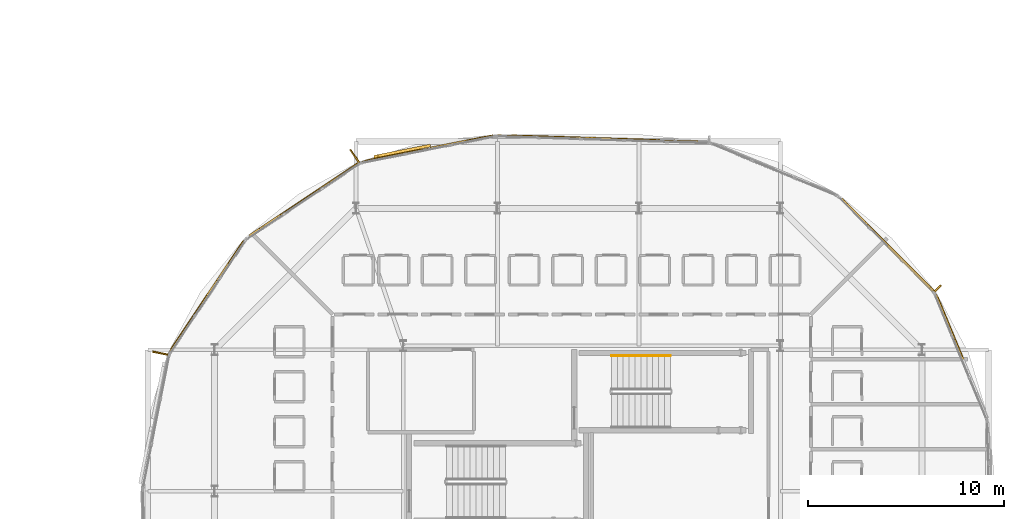
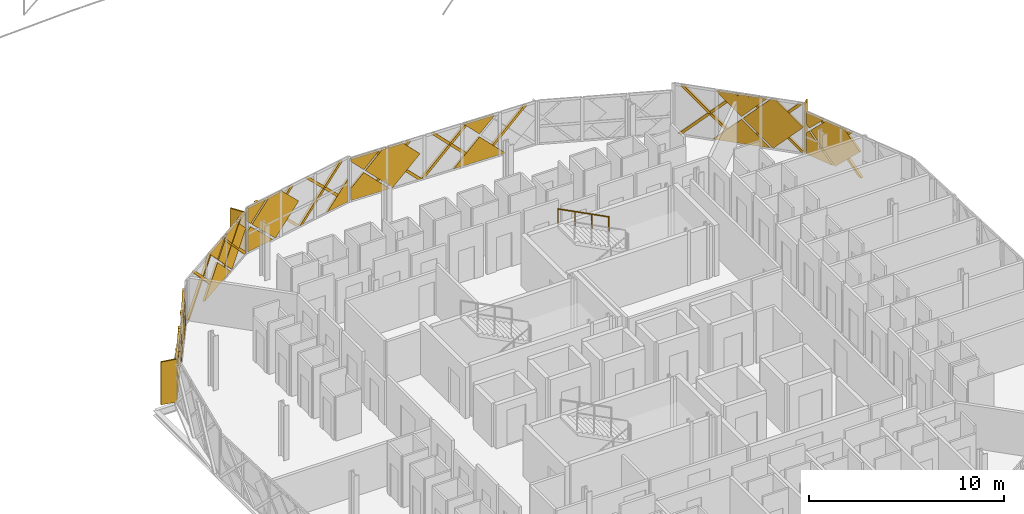
# One storey, part 49 of 50: 45 coverings, 3 shading devices, 1 railing.
"""IFC4 building model written with IfcOpenShell, lengths in metres."""

from ifc_helpers import new_model, si_unit, direction, frame, origin, origin_2d, place, context, subcontext, project, spatial, polyline, rectangle, circle, outline, extrude, material, layer, layer_set, type_object, element, save


model = new_model("IFC4")

# Units and contexts
model_context = context("Model", 3, precision=1e-05, world=origin(), true_north=direction((0.0, 1.0)))
body_context = subcontext(model_context, "Body", "Model", "MODEL_VIEW")
ifc_project = project(units=[si_unit("LENGTHUNIT", "METRE"), si_unit("AREAUNIT", "SQUARE_METRE"), si_unit("VOLUMEUNIT", "CUBIC_METRE"), si_unit("PLANEANGLEUNIT", "RADIAN"), si_unit("MASSUNIT", "GRAM", prefix="KILO")], contexts=[model_context])

# Site, building, storey
site_placement = place(None, origin())
site = spatial("IfcSite", under=ifc_project, at=site_placement, CompositionType="ELEMENT")
building_placement = place(site_placement, origin())
building = spatial("IfcBuilding", under=site, at=building_placement, Name="Zevrakil Square Congress Hotel", CompositionType="ELEMENT")
storey_placement = place(building_placement, frame((0.0, 0.0, 21.5)))
storey = spatial("IfcBuildingStorey", under=building, at=storey_placement, Name="L06", CompositionType="ELEMENT", Elevation=21.5)

# Coverings
ifc_material_1 = material(Name="Architectural White Fibre-C GRC", Category="concrete")
ifc_layer_1 = layer(ifc_material_1, 0.06494140625)
ifc_layer_set_1 = layer_set([ifc_layer_1], Name="Architectural White Fibre-C GRC")
covering_type_1 = type_object("IfcCoveringType", Name="COV-DIA-WHITE", PredefinedType="CLADDING", material=ifc_layer_set_1)
covering_1_placement = place(storey_placement, frame((164.0302734375, 41.05224609375, 1.590087890625), z_axis=(0.92386810369, 0.382710638562, 0.000542324282), x_axis=(-0.270236009364, 0.653355103566, -0.707177211092)))
element("IfcCovering", 1, at=covering_1_placement, inside=storey, type_object=covering_type_1, Name="L06 45-degree white GRC diamond facade cassette 2521", PredefinedType="CLADDING", context=body_context, shape_type="SweptSolid", body=[
    extrude(outline(polyline([(0.0, 0.0), (0.26272196635071365, 2.7755575615628914e-17), (1.1991408726097759, -0.9363095231817212), (0.00019873089311528425, -2.135490849810203), (0.0, 0.0)])), origin(), (0.0, 0.0, -1.0), 0.1201171875),
])
covering_2_placement = place(storey_placement, frame((164.064697265625, 40.968994140625, 1.679931640625), z_axis=(0.923883983177, 0.38267219732, 0.000612395438), x_axis=(0.270996693439, -0.653134687585, -0.707089719921)))
element("IfcCovering", 2, at=covering_2_placement, inside=storey, type_object=covering_type_1, Name="L06 45-degree white GRC diamond facade cassette 2522", PredefinedType="CLADDING", context=body_context, shape_type="SweptSolid", body=[
    extrude(outline(polyline([(0.0, 0.0), (2.248432897650142, 2.220446049250313e-16), (2.2484905312033807, -2.248382885916648), (0.8768900445308169, -2.248561148141243), (-5.7870723416453274e-05, -1.3716552526652066), (0.0, 0.0)])), origin(), (0.0, 0.0, -1.0), 0.1201171875),
])
covering_3_placement = place(storey_placement, frame((164.0302734375, 41.05224609375, 1.77001953125), z_axis=(0.923836212557, 0.382787158594, 0.000802236726), x_axis=(0.27016233, -0.653504104735, 0.707067677484)))
element("IfcCovering", 3, at=covering_3_placement, inside=storey, type_object=covering_type_1, Name="L06 45-degree white GRC diamond facade cassette 2523", PredefinedType="CLADDING", context=body_context, shape_type="SweptSolid", body=[
    extrude(outline(polyline([(0.0, 0.0), (1.24441103782637, 0.0), (0.49074323806364883, -0.7535849205414161), (-5.426841395600457e-05, -0.26278809088890714), (0.0, 0.0)])), origin(), (0.0, 0.0, -1.0), 0.1201171875),
])
covering_4_placement = place(storey_placement, frame((161.524658203125, 43.72265625, 1.590087890625), z_axis=(0.707106665659, 0.707106665659, 0.000571630288), x_axis=(-0.499716692516, 0.500288319938, -0.707103121302)))
element("IfcCovering", 4, at=covering_4_placement, inside=storey, type_object=covering_type_1, Name="L06 45-degree white GRC diamond facade cassette 2528", PredefinedType="CLADDING", context=body_context, shape_type="SweptSolid", body=[
    extrude(outline(polyline([(0.0, 0.0), (2.1354873428434074, 0.0), (-2.1408116838594893e-05, -2.1354873427360994), (0.0, 0.0)])), origin(), (0.0, 0.0, -1.0), 0.1201171875),
])
covering_5_placement = place(storey_placement, frame((161.588134765625, 43.658935546875, 1.679931640625), z_axis=(0.707087494365, 0.707125819549, 0.000592148082), x_axis=(0.50032696926, -0.499707740799, -0.707082101044)))
element("IfcCovering", 5, at=covering_5_placement, inside=storey, type_object=covering_type_1, Name="L06 45-degree white GRC diamond facade cassette 2529", PredefinedType="CLADDING", context=body_context, shape_type="SweptSolid", body=[
    extrude(outline(polyline([(0.0, 0.0), (2.2484571141369587, 0.0), (2.2487327554107233, -2.2344210521339223), (2.234455153053577, -2.2484554904441794), (0.21922499908295112, -2.248618887449293), (-2.0891940692324695e-05, -2.0293882163980976), (0.0, 0.0)])), origin(), (0.0, 0.0, -1.0), 0.1201171875),
])
covering_6_placement = place(storey_placement, frame((161.5244140625, 43.72265625, 1.77001953125), z_axis=(0.70710668799, 0.70710668799, 0.000513419269), x_axis=(0.499778488634, -0.500291871776, 0.707056932173)))
element("IfcCovering", 6, at=covering_6_placement, inside=storey, type_object=covering_type_1, Name="L06 45-degree white GRC diamond facade cassette 2530", PredefinedType="CLADDING", context=body_context, shape_type="SweptSolid", body=[
    extrude(outline(polyline([(0.0, 0.0), (1.9022099097322953, -1.1102230246251565e-16), (-2.353214963146666e-05, -1.9019657674509012), (0.0, 0.0)])), origin(), (0.0, 0.0, -1.0), 0.1201171875),
])
covering_7_placement = place(storey_placement, frame((149.052490234375, 49.115234375, 1.590087890625), z_axis=(0.031608263347, 0.999500173978, 0.000565602362), x_axis=(-0.706752256088, 0.022750517464, -0.707095228713)))
element("IfcCovering", 7, at=covering_7_placement, inside=storey, type_object=covering_type_1, Name="L06 45-degree white GRC diamond facade cassette 2543", PredefinedType="CLADDING", context=body_context, shape_type="SweptSolid", body=[
    extrude(outline(polyline([(0.0, 0.0), (2.1355111791273007, -2.220446049250313e-16), (-3.089768033581741e-05, -2.1354729821073026), (0.0, 0.0)])), origin(), (0.0, 0.0, -1.0), 0.1201171875),
])
covering_8_placement = place(storey_placement, frame((142.335693359375, 49.327392578125, 1.590087890625), z_axis=(0.031623638419, 0.999499596415, 0.000708702399), x_axis=(-0.706688972274, 0.02286067849, -0.70715492351)))
element("IfcCovering", 8, at=covering_8_placement, inside=storey, type_object=covering_type_1, Name="L06 45-degree white GRC diamond facade cassette 2544", PredefinedType="CLADDING", context=body_context, shape_type="SweptSolid", body=[
    extrude(outline(polyline([(0.0, 0.0), (1.0440163353027656, -2.220446049250313e-16), (1.5897591171810976, -0.545646362406218), (-1.7359191907484472e-05, -2.1356401937942104), (0.0, 0.0)])), origin(), (0.0, 0.0, -1.0), 0.1201171875),
])
covering_9_placement = place(storey_placement, frame((142.42578125, 49.32470703125, 1.679931640625), z_axis=(0.031639447707, 0.999499154223, 0.00062133464), x_axis=(0.706773784466, -0.021933572103, -0.707099523409)))
element("IfcCovering", 9, at=covering_9_placement, inside=storey, type_object=covering_type_1, Name="L06 45-degree white GRC diamond facade cassette 2546", PredefinedType="CLADDING", context=body_context, shape_type="SweptSolid", body=[
    extrude(outline(polyline([(0.0, 0.0), (2.248401670190142, 0.0), (2.2486632157410225, -2.248617897947527), (0.8767614316162954, -2.2484759767868803), (2.436250977333465e-05, -1.3717564985702386), (0.0, 0.0)])), origin(), (0.0, 0.0, -1.0), 0.1201171875),
])
covering_10_placement = place(storey_placement, frame((149.052490234375, 49.114990234375, 1.77001953125), z_axis=(0.031628853851, 0.999499526297, 0.000559049245), x_axis=(0.706727384305, -0.02275968256, 0.707119792625)))
element("IfcCovering", 10, at=covering_10_placement, inside=storey, type_object=covering_type_1, Name="L06 45-degree white GRC diamond facade cassette 2547", PredefinedType="CLADDING", context=body_context, shape_type="SweptSolid", body=[
    extrude(outline(polyline([(0.0, 0.0), (1.2443193100749563, 0.0), (-0.000104520868435376, -1.244470018333256), (0.0, 0.0)])), origin(), (0.0, 0.0, -1.0), 0.1201171875),
])
covering_11_placement = place(storey_placement, frame((142.335693359375, 49.327392578125, 1.77001953125), z_axis=(0.031619110019, 0.999499730687, 0.000721275118), x_axis=(0.706821970898, -0.0228704802, 0.707021670524)))
element("IfcCovering", 11, at=covering_11_placement, inside=storey, type_object=covering_type_1, Name="L06 45-degree white GRC diamond facade cassette 2548", PredefinedType="CLADDING", context=body_context, shape_type="SweptSolid", body=[
    extrude(outline(polyline([(0.0, 0.0), (1.244491854838642, -1.1102230246251565e-16), (0.10008865963309976, -1.1441284933325278), (-3.2297247844925714e-05, -1.043994403387933), (0.0, 0.0)])), origin(), (0.0, 0.0, -1.0), 0.1201171875),
])
covering_12_placement = place(storey_placement, frame((139.99560546875, 49.05859375, 0.080078125), z_axis=(-0.194983743043, 0.980806323798, 0.000543273197), x_axis=(0.980806468539, 0.194983771818, 0.0)))
element("IfcCovering", 12, at=covering_12_placement, inside=storey, type_object=covering_type_1, Name="L06 45-degree white GRC diamond facade cassette 2555", PredefinedType="CLADDING", context=body_context, shape_type="SweptSolid", body=[
    extrude(outline(polyline([(0.0, 0.0), (1.409872940642345, 2.710505431213761e-20), (1.409969584966829, -1.4099123174398416), (0.0, 0.0)])), origin(), (0.0, 0.0, -1.0), 0.1201171875),
])
covering_13_placement = place(storey_placement, frame((134.8857421875, 48.041259765625, 1.590087890625), z_axis=(-0.195095002409, 0.980784201879, 0.000537940586), x_axis=(-0.693383377426, -0.137538038276, -0.707320846531)))
element("IfcCovering", 13, at=covering_13_placement, inside=storey, type_object=covering_type_1, Name="L06 45-degree white GRC diamond facade cassette 2556", PredefinedType="CLADDING", context=body_context, shape_type="SweptSolid", body=[
    extrude(outline(polyline([(0.0, 0.0), (0.2626686507407934, -2.7755575615628914e-17), (1.1992154421148744, -0.9361815752429213), (0.0005602641638955408, -2.135563173304746), (0.0, 0.0)])), origin(), (0.0, 0.0, -1.0), 0.1201171875),
])
covering_14_placement = place(storey_placement, frame((134.97412109375, 48.058837890625, 1.679931640625), z_axis=(-0.195080809907, 0.980786979448, 0.00061526472), x_axis=(0.693427797187, 0.138367986413, -0.707115401066)))
element("IfcCovering", 14, at=covering_14_placement, inside=storey, type_object=covering_type_1, Name="L06 45-degree white GRC diamond facade cassette 2557", PredefinedType="CLADDING", context=body_context, shape_type="SweptSolid", body=[
    extrude(outline(polyline([(0.0, 0.0), (2.2483511277506354, 2.220446049250313e-16), (2.2485676666351315, -2.248623335779687), (0.6645267556407678, -2.2486480873280383), (-9.67111496924522e-05, -1.5840081531532735), (0.0, 0.0)])), origin(), (0.0, 0.0, -1.0), 0.1201171875),
])
covering_15_placement = place(storey_placement, frame((134.8857421875, 48.041259765625, 1.77001953125), z_axis=(-0.195058579087, 0.980791372452, 0.000659126765), x_axis=(0.693571129311, 0.137461340077, 0.707151658819)))
element("IfcCovering", 15, at=covering_15_placement, inside=storey, type_object=covering_type_1, Name="L06 45-degree white GRC diamond facade cassette 2558", PredefinedType="CLADDING", context=body_context, shape_type="SweptSolid", body=[
    extrude(outline(polyline([(0.0, 0.0), (1.4565889844993962, 0.0), (0.5971693590993628, -0.859529070157402), (6.26489805573005e-05, -0.26270233702114776), (0.0, 0.0)])), origin(), (0.0, 0.0, -1.0), 0.1201171875),
])
covering_16_placement = place(storey_placement, frame((131.77783203125, 46.104736328125, 1.590087890625), z_axis=(-0.555558008014, 0.831477606581, 0.000538038776), x_axis=(-0.588124084875, -0.39250194078, -0.707143752906)))
element("IfcCovering", 16, at=covering_16_placement, inside=storey, type_object=covering_type_1, Name="L06 45-degree white GRC diamond facade cassette 2563", PredefinedType="CLADDING", context=body_context, shape_type="SweptSolid", body=[
    extrude(outline(polyline([(0.0, 0.0), (2.1353646403852276, 4.440892098500626e-16), (7.910572278801986e-05, -2.1355094611236565), (0.0, 0.0)])), origin(), (0.0, 0.0, -1.0), 0.1201171875),
])
covering_17_placement = place(storey_placement, frame((131.852783203125, 46.15478515625, 1.679931640625), z_axis=(-0.555590875629, 0.831455605336, 0.000596047132), x_axis=(0.58771479474, 0.393226564602, -0.707081458486)))
element("IfcCovering", 17, at=covering_17_placement, inside=storey, type_object=covering_type_1, Name="L06 45-degree white GRC diamond facade cassette 2564", PredefinedType="CLADDING", context=body_context, shape_type="SweptSolid", body=[
    extrude(outline(polyline([(0.0, 0.0), (2.2484589921908835, 2.220446049250313e-16), (2.248705005091731, -2.23438932110518), (2.234549565737279, -2.248545769309642), (0.8769121778557384, -2.2485468558117434), (5.550219748906571e-05, -1.3717526908822337), (0.0, 0.0)])), origin(), (0.0, 0.0, -1.0), 0.1201171875),
])
covering_18_placement = place(storey_placement, frame((131.778076171875, 46.104736328125, 1.77001953125), z_axis=(-0.555564066248, 0.831473411508, 0.000730923306), x_axis=(0.588218441295, 0.392407232352, 0.707117832697)))
element("IfcCovering", 18, at=covering_18_placement, inside=storey, type_object=covering_type_1, Name="L06 45-degree white GRC diamond facade cassette 2565", PredefinedType="CLADDING", context=body_context, shape_type="SweptSolid", body=[
    extrude(outline(polyline([(0.0, 0.0), (1.2443227589714265, -1.1102230246251565e-16), (-0.00015290086494945676, -1.2445152259597503), (0.0, 0.0)])), origin(), (0.0, 0.0, -1.0), 0.1201171875),
])
covering_19_placement = place(storey_placement, frame((127.881103515625, 42.79833984375, 0.080078125), z_axis=(-0.831516946663, 0.555499034756, 0.000624337474), x_axis=(0.555499143022, 0.831517108725, 0.0)))
element("IfcCovering", 19, at=covering_19_placement, inside=storey, type_object=covering_type_1, Name="L06 45-degree white GRC diamond facade cassette 2570", PredefinedType="CLADDING", context=body_context, shape_type="SweptSolid", body=[
    extrude(outline(polyline([(0.0, 0.0), (1.4099087907496117, 1.0842021724855044e-19), (1.40990963626026, -1.4099123841650334), (0.0, 0.0)])), origin(), (0.0, 0.0, -1.0), 0.1201171875),
])
covering_20_placement = place(storey_placement, frame((124.9873046875, 38.4658203125, 1.590087890625), z_axis=(-0.831447673134, 0.555602657413, 0.00067373235), x_axis=(-0.393136263947, -0.5874624046, -0.70734136112)))
element("IfcCovering", 20, at=covering_20_placement, inside=storey, type_object=covering_type_1, Name="L06 45-degree white GRC diamond facade cassette 2571", PredefinedType="CLADDING", context=body_context, shape_type="SweptSolid", body=[
    extrude(outline(polyline([(0.0, 0.0), (0.2626610486253064, 0.0), (1.199336836393759, -0.936052638038315), (0.000677600765038644, -2.1355081269601914), (0.0, 0.0)])), origin(), (0.0, 0.0, -1.0), 0.1201171875),
])
covering_21_placement = place(storey_placement, frame((125.037353515625, 38.540771484375, 1.679931640625), z_axis=(-0.831477747837, 0.555557746048, 0.000587926961), x_axis=(0.392506824416, 0.588195205997, -0.707081885237)))
element("IfcCovering", 21, at=covering_21_placement, inside=storey, type_object=covering_type_1, Name="L06 45-degree white GRC diamond facade cassette 2572", PredefinedType="CLADDING", context=body_context, shape_type="SweptSolid", body=[
    extrude(outline(polyline([(0.0, 0.0), (2.2484577240739663, -2.220446049250313e-16), (2.248616567972692, -2.2484589902065952), (0.8768638741981988, -2.2485003913182346), (7.767404955894008e-06, -1.37170566035423), (0.0, 0.0)])), origin(), (0.0, 0.0, -1.0), 0.1201171875),
])
covering_22_placement = place(storey_placement, frame((124.9873046875, 38.4658203125, 1.77001953125), z_axis=(-0.831459337273, 0.555585276043, 0.000609512769), x_axis=(0.393271006517, 0.587772811506, 0.707008513024)))
element("IfcCovering", 22, at=covering_22_placement, inside=storey, type_object=covering_type_1, Name="L06 45-degree white GRC diamond facade cassette 2573", PredefinedType="CLADDING", context=body_context, shape_type="SweptSolid", body=[
    extrude(outline(polyline([(0.0, 0.0), (1.2445152324889124, -1.1102230246251565e-16), (0.4906844786864245, -0.7536214816133586), (3.155268061105776e-06, -0.26270868546778176), (0.0, 0.0)])), origin(), (0.0, 0.0, -1.0), 0.1201171875),
])
ifc_material_2 = material(Name="Anodised Champagne Aluminium", Category="aluminium")
ifc_layer_2 = layer(ifc_material_2, 0.0849609375)
ifc_layer_set_2 = layer_set([ifc_layer_2], Name="Anodised Champagne Aluminium")
covering_type_2 = type_object("IfcCoveringType", Name="COV-DIAGRID-45", PredefinedType="MOLDING", material=ifc_layer_set_2)
covering_23_placement = place(storey_placement, frame((165.268798828125, 38.1298828125, 0.080078125), z_axis=(0.9239254376, 0.382571865507, 0.000743960638), x_axis=(0.382571971651, -0.923925693174, -3.95351e-07)))
element("IfcCovering", 23, at=covering_23_placement, inside=storey, type_object=covering_type_2, Name="L06 45-degree aluminium diagrid rib 2525", PredefinedType="MOLDING", context=body_context, shape_type="SweptSolid", body=[
    extrude(outline(polyline([(0.0, 0.0), (0.2122335933052836, -1.3552527156068805e-20), (-2.3578375936591107, -2.569823997746705), (-2.569977785604128, -2.56982382997007), (0.0, 0.0)])), origin(), (0.0, 0.0, -1.0), 0.14501953125),
])
covering_24_placement = place(storey_placement, frame((165.107421875, 38.515380859375, 2.64990234375), z_axis=(0.923756621182, 0.382978898433, 0.000931760901), x_axis=(-0.382979064253, 0.923757022352, -4.95805e-07)))
element("IfcCovering", 24, at=covering_24_placement, inside=storey, type_object=covering_type_2, Name="L06 45-degree aluminium diagrid rib 2527", PredefinedType="MOLDING", context=body_context, shape_type="SweptSolid", body=[
    extrude(outline(polyline([(0.0, 0.0), (0.2119145950336605, 0.0), (2.781992306892139, -2.5698239549566018), (2.56998421111037, -2.5698241651398437), (0.0, 0.0)])), origin(), (0.0, 0.0, -1.0), 0.14501953125),
])
covering_25_placement = place(storey_placement, frame((163.787353515625, 41.49658203125, 0.080078125), z_axis=(0.707264874696, 0.706948166622, 0.00082869211), x_axis=(0.706948409473, -0.707265117438, -1.85583e-07)))
element("IfcCovering", 25, at=covering_25_placement, inside=storey, type_object=covering_type_2, Name="L06 45-degree aluminium diagrid rib 2531", PredefinedType="MOLDING", context=body_context, shape_type="SweptSolid", body=[
    extrude(outline(polyline([(0.0, 0.0), (0.08597147661148882, 0.0), (0.08597145323242561, -0.1259765192440094), (-2.823075553678189, -3.0349126409514167), (-3.035242148072805, -3.034912497891401), (0.0, 0.0)])), origin(), (0.0, 0.0, -1.0), 0.14501953125),
])
covering_26_placement = place(storey_placement, frame((161.411376953125, 43.87255859375, 0.080078125), z_axis=(0.707106642767, 0.707106642767, 0.000625707752), x_axis=(0.707106781187, -0.707106781187, 0.0)))
element("IfcCovering", 26, at=covering_26_placement, inside=storey, type_object=covering_type_2, Name="L06 45-degree aluminium diagrid rib 2532", PredefinedType="MOLDING", context=body_context, shape_type="SweptSolid", body=[
    extrude(outline(polyline([(0.0, 0.0), (0.21199392756276378, 0.0), (-2.8227302195266697, -3.0349127034746854), (-3.035069414072435, -3.0349127034746854), (0.0, 0.0)])), origin(), (0.0, 0.0, -1.0), 0.14501953125),
])
covering_27_placement = place(storey_placement, frame((163.8193359375, 41.462158203125, 3.114990234375), z_axis=(0.706818807861, 0.707393924874, 0.001003944909), x_axis=(-0.707394281657, 0.706819163775, 4.08606e-07)))
element("IfcCovering", 27, at=covering_27_placement, inside=storey, type_object=covering_type_2, Name="L06 45-degree aluminium diagrid rib 2533", PredefinedType="MOLDING", context=body_context, shape_type="SweptSolid", body=[
    extrude(outline(polyline([(0.0, 0.0), (0.2121666137149819, -1.3552527156068805e-20), (3.2472337644819977, -3.034914965666809), (3.0348945874946094, -3.034914792211316), (0.0, 0.0)])), origin(), (0.0, 0.0, -1.0), 0.14501953125),
])
covering_28_placement = place(storey_placement, frame((161.443359375, 43.837890625, 3.114990234375), z_axis=(0.707394502542, 0.706818917104, 0.000190256662), x_axis=(-0.706818929886, 0.707394515355, -7.7372e-08)))
element("IfcCovering", 28, at=covering_28_placement, inside=storey, type_object=covering_type_2, Name="L06 45-degree aluminium diagrid rib 2534", PredefinedType="MOLDING", context=body_context, shape_type="SweptSolid", body=[
    extrude(outline(polyline([(0.0, 0.0), (0.21216661374353818, 6.776263578034403e-21), (3.2470640803948645, -3.034911913073032), (3.035070170390427, -3.034911945890971), (0.0, 0.0)])), origin(), (0.0, 0.0, -1.0), 0.14501953125),
])
covering_29_placement = place(storey_placement, frame((148.8671875, 49.14697265625, 0.080078125), z_axis=(0.03164792077, 0.999498879596, 0.000631504294), x_axis=(0.999499078888, -0.031647927303, 3.51487e-07)))
element("IfcCovering", 29, at=covering_29_placement, inside=storey, type_object=covering_type_2, Name="L06 45-degree aluminium diagrid rib 2550", PredefinedType="MOLDING", context=body_context, shape_type="SweptSolid", body=[
    extrude(outline(polyline([(0.0, 0.0), (0.21226827185494845, -8.470329472543003e-22), (-2.3578182712426456, -2.5698255599138564), (-2.5698347982230363, -2.569825709044648), (0.0, 0.0)])), origin(), (0.0, 0.0, -1.0), 0.14501953125),
])
covering_30_placement = place(storey_placement, frame((145.509033203125, 49.253173828125, 0.080078125), z_axis=(0.031666132463, 0.99949829012, 0.000651230672), x_axis=(0.999498502057, -0.031666139422, 3.7475e-07)))
element("IfcCovering", 30, at=covering_30_placement, inside=storey, type_object=covering_type_2, Name="L06 45-degree aluminium diagrid rib 2551", PredefinedType="MOLDING", context=body_context, shape_type="SweptSolid", body=[
    extrude(outline(polyline([(0.0, 0.0), (0.2120242557834952, 0.0), (-2.3580621996894475, -2.569825647366892), (-2.5700787244818724, -2.569825806276124), (0.0, 0.0)])), origin(), (0.0, 0.0, -1.0), 0.14501953125),
])
covering_31_placement = place(storey_placement, frame((151.807861328125, 49.052490234375, 2.64990234375), z_axis=(0.031073051089, 0.999516476692, 0.001130626883), x_axis=(-0.999517115541, 0.031073070972, -2.0228e-08)))
element("IfcCovering", 31, at=covering_31_placement, inside=storey, type_object=covering_type_2, Name="L06 45-degree aluminium diagrid rib 2552", PredefinedType="MOLDING", context=body_context, shape_type="SweptSolid", body=[
    extrude(outline(polyline([(0.0, 0.0), (0.21201655986480766, -8.470329472543003e-22), (2.7821955329366572, -2.5698258049996974), (2.569934950338563, -2.569825813581794), (0.0, 0.0)])), origin(), (0.0, 0.0, -1.0), 0.14501953125),
])
covering_32_placement = place(storey_placement, frame((148.44970703125, 49.15869140625, 2.64990234375), z_axis=(0.031073051089, 0.999516476692, 0.001130626883), x_axis=(-0.999517115543, 0.031073070927, 2.0204e-08)))
element("IfcCovering", 32, at=covering_32_placement, inside=storey, type_object=covering_type_2, Name="L06 45-degree aluminium diagrid rib 2553", PredefinedType="MOLDING", context=body_context, shape_type="SweptSolid", body=[
    extrude(outline(polyline([(0.0, 0.0), (0.21226058259809436, -8.470329472543003e-22), (2.782195429033742, -2.5698259174891187), (2.5701788691689345, -2.5698259089168887), (0.0, 0.0)])), origin(), (0.0, 0.0, -1.0), 0.14501953125),
])
covering_33_placement = place(storey_placement, frame((145.09130859375, 49.264892578125, 2.64990234375), z_axis=(0.031629731506, 0.999499515586, 0.000527663011), x_axis=(-0.999499654735, 0.031629735749, 3.03305e-07)))
element("IfcCovering", 33, at=covering_33_placement, inside=storey, type_object=covering_type_2, Name="L06 45-degree aluminium diagrid rib 2554", PredefinedType="MOLDING", context=body_context, shape_type="SweptSolid", body=[
    extrude(outline(polyline([(0.0, 0.0), (0.21226054756600599, 0.0), (2.782195888215239, -2.569825420360934), (2.5699276185457784, -2.569825291599071), (0.0, 0.0)])), origin(), (0.0, 0.0, -1.0), 0.14501953125),
])
covering_34_placement = place(storey_placement, frame((141.2890625, 49.34130859375, 0.080078125), z_axis=(-0.195649531208, 0.980673880911, 1.5398616e-05), x_axis=(0.980673881027, 0.195649531231, 1.233e-09)))
element("IfcCovering", 34, at=covering_34_placement, inside=storey, type_object=covering_type_2, Name="L06 45-degree aluminium diagrid rib 2559", PredefinedType="MOLDING", context=body_context, shape_type="SweptSolid", body=[
    extrude(outline(polyline([(0.0, 0.0), (0.08613598156503288, 0.0), (0.08613598172030441, -0.1259765624850644), (-2.507950249392401, -2.7199707065746006), (-2.720058297962837, -2.719970706915579), (0.0, 0.0)])), origin(), (0.0, 0.0, -1.0), 0.14501953125),
])
covering_35_placement = place(storey_placement, frame((137.99365234375, 48.685791015625, 0.080078125), z_axis=(0.195673415114, -0.980669115747, 6.198834e-06), x_axis=(0.980669115765, 0.195673415118, 0.0)))
element("IfcCovering", 35, at=covering_35_placement, inside=storey, type_object=covering_type_2, Name="L06 45-degree aluminium diagrid rib 2560", PredefinedType="MOLDING", context=body_context, shape_type="SweptSolid", body=[
    extrude(outline(polyline([(0.0, 0.0), (0.21210804863334146, 0.0), (-2.50795025307804, 2.719970703177258), (-2.7200583017113815, 2.719970703177258), (0.0, 0.0)])), origin(), (0.0, 0.0, -1.0), 0.14501953125),
])
covering_36_placement = place(storey_placement, frame((141.026611328125, 49.28759765625, 2.800048828125), z_axis=(-0.195673277587, 0.980668426494, 0.00118562941), x_axis=(-0.980669115765, -0.195673415118, 0.0)))
element("IfcCovering", 36, at=covering_36_placement, inside=storey, type_object=covering_type_2, Name="L06 45-degree aluminium diagrid rib 2561", PredefinedType="MOLDING", context=body_context, shape_type="SweptSolid", body=[
    extrude(outline(polyline([(0.0, 0.0), (0.21210804863334146, 0.0), (2.9320241588981903, -2.719972614881677), (2.7199161102648493, -2.719972614881677), (0.0, 0.0)])), origin(), (0.0, 0.0, -1.0), 0.14501953125),
])
covering_37_placement = place(storey_placement, frame((137.731201171875, 48.632080078125, 2.800048828125), z_axis=(-0.1955629266, 0.980690558392, 0.001081860095), x_axis=(-0.980691132277, -0.195563041175, 1.21762e-07)))
element("IfcCovering", 37, at=covering_37_placement, inside=storey, type_object=covering_type_2, Name="L06 45-degree aluminium diagrid rib 2562", PredefinedType="MOLDING", context=body_context, shape_type="SweptSolid", body=[
    extrude(outline(polyline([(0.0, 0.0), (0.21210804728993934, 6.776263578034403e-21), (2.9322635986407413, -2.7199726519196674), (2.719916124804836, -2.719972600237231), (0.0, 0.0)])), origin(), (0.0, 0.0, -1.0), 0.14501953125),
])
covering_38_placement = place(storey_placement, frame((134.402587890625, 47.8896484375, 0.080078125), z_axis=(-0.556046181929, 0.831151393482, 6.8370023e-05), x_axis=(0.831151395425, 0.556046183228, 3.076e-09)))
element("IfcCovering", 38, at=covering_38_placement, inside=storey, type_object=covering_type_2, Name="L06 45-degree aluminium diagrid rib 2566", PredefinedType="MOLDING", context=body_context, shape_type="SweptSolid", body=[
    extrude(outline(polyline([(0.0, 0.0), (0.08606260028621274, -4.235164736271502e-22), (0.08606260067367953, -0.1259765622055638), (-2.3579531906304494, -2.56982423220509), (-2.5700287799850043, -2.569824232536549), (0.0, 0.0)])), origin(), (0.0, 0.0, -1.0), 0.14501953125),
])
covering_39_placement = place(storey_placement, frame((131.60888671875, 46.02294921875, 0.080078125), z_axis=(-0.556027790514, 0.831163695137, 8.9790246e-05), x_axis=(0.831163698488, 0.556027792755, 0.0)))
element("IfcCovering", 39, at=covering_39_placement, inside=storey, type_object=covering_type_2, Name="L06 45-degree aluminium diagrid rib 2567", PredefinedType="MOLDING", context=body_context, shape_type="SweptSolid", body=[
    extrude(outline(polyline([(0.0, 0.0), (0.2120755894064681, -1.6940658945086007e-21), (-2.3579531940061242, -2.569824229109332), (-2.5700287834125923, -2.569824229109332), (0.0, 0.0)])), origin(), (0.0, 0.0, -1.0), 0.14501953125),
])
covering_40_placement = place(storey_placement, frame((134.055908203125, 47.65625, 2.64990234375), z_axis=(-0.556027425995, 0.831163150246, 0.001148570694), x_axis=(-0.831163698488, -0.556027792755, 0.0)))
element("IfcCovering", 40, at=covering_40_placement, inside=storey, type_object=covering_type_2, Name="L06 45-degree aluminium diagrid rib 2568", PredefinedType="MOLDING", context=body_context, shape_type="SweptSolid", body=[
    extrude(outline(polyline([(0.0, 0.0), (0.2120755894064681, 0.0), (2.7820315798915947, -2.569825913826544), (2.569955990485127, -2.569825913826544), (0.0, 0.0)])), origin(), (0.0, 0.0, -1.0), 0.14501953125),
])
covering_41_placement = place(storey_placement, frame((131.26220703125, 45.78955078125, 2.64990234375), z_axis=(-0.555364034333, 0.831607284572, 0.00033707004), x_axis=(-0.831607331763, -0.555364065958, 2.69096e-07)))
element("IfcCovering", 41, at=covering_41_placement, inside=storey, type_object=covering_type_2, Name="L06 45-degree aluminium diagrid rib 2569", PredefinedType="MOLDING", context=body_context, shape_type="SweptSolid", body=[
    extrude(outline(polyline([(0.0, 0.0), (0.21207552182393516, 6.776263578034403e-21), (2.7822353873366823, -2.569825113425242), (2.5700924233091813, -2.569824999269763), (0.0, 0.0)])), origin(), (0.0, 0.0, -1.0), 0.14501953125),
])
covering_42_placement = place(storey_placement, frame((128.595703125, 43.9130859375, 0.080078125), z_axis=(-0.831088318077, 0.556138991243, 0.00127670503), x_axis=(0.556139444277, 0.831088995547, -2.00695e-07)))
element("IfcCovering", 42, at=covering_42_placement, inside=storey, type_object=covering_type_2, Name="L06 45-degree aluminium diagrid rib 2574", PredefinedType="MOLDING", context=body_context, shape_type="SweptSolid", body=[
    extrude(outline(polyline([(0.0, 0.0), (0.08606259930994795, 1.3552527156068805e-20), (0.0861983502586049, -0.12597671890458842), (-2.3578804990389624, -2.5698258239149268), (-2.569956086531805, -2.5698258177254454), (0.0, 0.0)])), origin(), (0.0, 0.0, -1.0), 0.14501953125),
])
covering_43_placement = place(storey_placement, frame((126.72900390625, 41.119384765625, 0.080078125), z_axis=(-0.831163150246, 0.556027425995, 0.001148570694), x_axis=(0.556027792755, 0.831163698488, 0.0)))
element("IfcCovering", 43, at=covering_43_placement, inside=storey, type_object=covering_type_2, Name="L06 45-degree aluminium diagrid rib 2575", PredefinedType="MOLDING", context=body_context, shape_type="SweptSolid", body=[
    extrude(outline(polyline([(0.0, 0.0), (0.2120755894064681, 0.0), (-2.357880401078659, -2.569825913826544), (-2.569955990485127, -2.569825913826544), (0.0, 0.0)])), origin(), (0.0, 0.0, -1.0), 0.14501953125),
])
covering_44_placement = place(storey_placement, frame((128.364990234375, 43.564697265625, 2.64990234375), z_axis=(-0.831341465674, 0.555761837952, 0.000383311694), x_axis=(-0.55576187882, -0.831341526721, -1.2262e-07)))
element("IfcCovering", 44, at=covering_44_placement, inside=storey, type_object=covering_type_2, Name="L06 45-degree aluminium diagrid rib 2576", PredefinedType="MOLDING", context=body_context, shape_type="SweptSolid", body=[
    extrude(outline(polyline([(0.0, 0.0), (0.21207557855529002, 0.0), (2.782307436004982, -2.569824066373741), (2.57002889320977, -2.5698241184079125), (0.0, 0.0)])), origin(), (0.0, 0.0, -1.0), 0.14501953125),
])
covering_45_placement = place(storey_placement, frame((126.498291015625, 40.77099609375, 2.64990234375), z_axis=(-0.83151887888, 0.555496014522, 0.000729326042), x_axis=(-0.55549616226, -0.83151910003, 0.0)))
element("IfcCovering", 45, at=covering_45_placement, inside=storey, type_object=covering_type_2, Name="L06 45-degree aluminium diagrid rib 2577", PredefinedType="MOLDING", context=body_context, shape_type="SweptSolid", body=[
    extrude(outline(polyline([(0.0, 0.0), (0.21227855363602155, 0.0), (2.7823066639951506, -2.5698249022161925), (2.5700281103591287, -2.5698249022161925), (0.0, 0.0)])), origin(), (0.0, 0.0, -1.0), 0.14501953125),
])

# Railing
ifc_material_3 = material(Name="Steel S355", Category="steel")
railing_type = type_object("IfcRailingType", Name="RLG-STAIR-HAND-900", PredefinedType="HANDRAIL", material=ifc_material_3)
railing_placement = place(storey_placement, frame((150.39990234375, 38.10009765625, 1.8544921875)))
element("IfcRailing", 46, at=railing_placement, inside=storey, type_object=railing_type, Name="L06 ST03 stair handrail 2", PredefinedType="HANDRAIL", context=body_context, shape_type="SweptSolid", body=[
    extrude(circle(Radius=0.02392578125, at=origin_2d()), frame((0.0, 0.0, 0.8759765625), z_axis=(-0.888979911393, 0.0, 0.45794619459), x_axis=(0.0, -1.0, 0.0)), (0.0, 0.0, 1.0), 3.374755859375),
    extrude(circle(Radius=0.02099609375, at=origin_2d()), origin(), (0.0, 0.0, 1.0), 0.851806640625),
    extrude(circle(Radius=0.02099609375, at=origin_2d()), frame((-1.0, 0.0, 0.51513671875)), (0.0, 0.0, 1.0), 0.851806640625),
    extrude(circle(Radius=0.02099609375, at=origin_2d()), frame((-2.0, 0.0, 1.0302734375)), (0.0, 0.0, 1.0), 0.851806640625),
    extrude(circle(Radius=0.02099609375, at=origin_2d()), frame((-3.0, 0.0, 1.54541015625)), (0.0, 0.0, 1.0), 0.851806640625),
])

# Shading devices
ifc_material_4 = material(Name="Aluminium Anodised Bronze", Category="aluminium")
shading_device_type_1 = type_object("IfcShadingDeviceType", Name="SHD-FIN-50", PredefinedType="JALOUSIE", material=ifc_material_4)
shading_device_1_placement = place(storey_placement, frame((163.99658203125, 41.49951171875, 0.099853515625), z_axis=(0.0, 0.0, 1.0), x_axis=(0.707106781187, 0.707106781187, 0.0)))
element("IfcShadingDevice", 47, at=shading_device_1_placement, inside=storey, type_object=shading_device_type_1, Name="L06 aluminium solar shading fin 140", PredefinedType="JALOUSIE", context=body_context, shape_type="SweptSolid", body=[
    extrude(rectangle(XDim=0.5, YDim=0.080078125, at=origin_2d()), origin(), (0.0, 0.0, 1.0), 2.9951171875),
])
ifc_material_5 = material(Name="Aluminium Anodised Bronze", Category="aluminium")
shading_device_type_2 = type_object("IfcShadingDeviceType", Name="SHD-FIN-85", PredefinedType="USERDEFINED", material=ifc_material_5)
shading_device_2_placement = place(storey_placement, frame((134.343505859375, 48.2412109375, 0.10009765625), z_axis=(0.0, 0.0, 1.0), x_axis=(-0.55557023302, 0.831469612303, 0.0)))
element("IfcShadingDevice", 48, at=shading_device_2_placement, inside=storey, type_object=shading_device_type_2, Name="L06 aluminium solar shading fin 142", ObjectType="SOLAR FIN", PredefinedType="USERDEFINED", context=body_context, shape_type="SweptSolid", body=[
    extrude(rectangle(XDim=0.85009765625, YDim=0.080078125, at=origin_2d()), origin(), (0.0, 0.0, 1.0), 2.530029296875),
])
shading_device_3_placement = place(storey_placement, frame((124.46240234375, 38.2236328125, 0.10009765625), z_axis=(0.0, 0.0, 1.0), x_axis=(-0.980785280403, 0.195090322016, 0.0)))
element("IfcShadingDevice", 49, at=shading_device_3_placement, inside=storey, type_object=shading_device_type_2, Name="L06 aluminium solar shading fin 143", ObjectType="SOLAR FIN", PredefinedType="USERDEFINED", context=body_context, shape_type="SweptSolid", body=[
    extrude(rectangle(XDim=0.85009765625, YDim=0.080078125, at=origin_2d()), origin(), (0.0, 0.0, 1.0), 2.679931640625),
])

save(model, "model.ifc")
